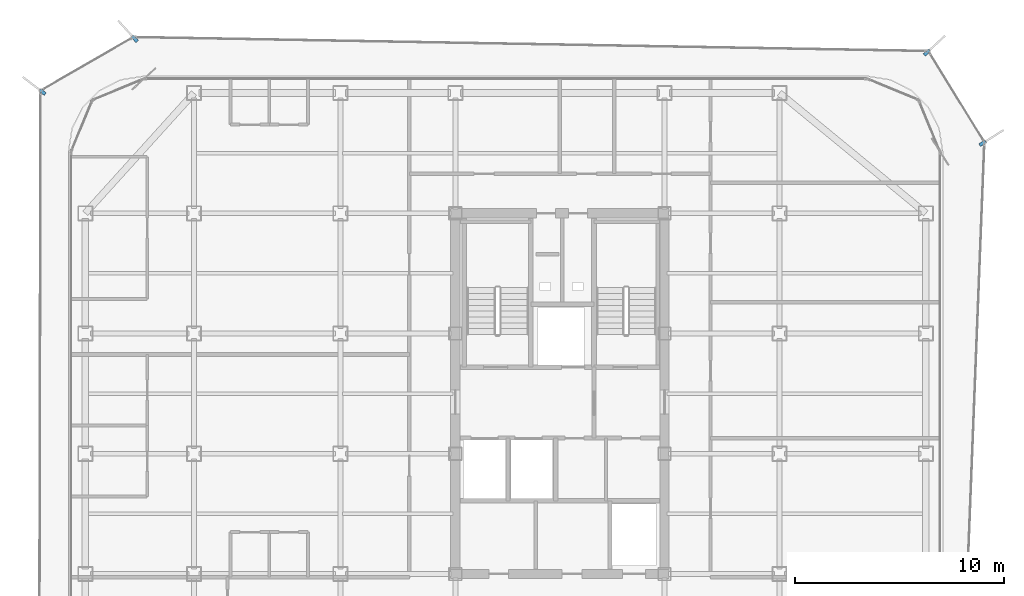
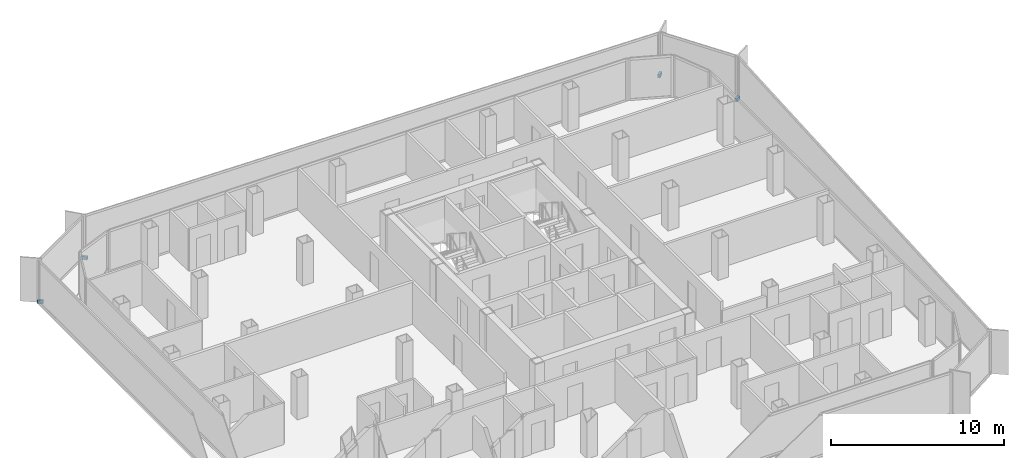
# One storey, part 13 of 16: 4 discrete accessories.
"""IFC4 building model written with IfcOpenShell, lengths in metres."""

from ifc_helpers import new_model, si_unit, direction, frame, origin, origin_2d, place, context, subcontext, project, spatial, rectangle, extrude, source, transform, mapped, material, type_object, element, save


model = new_model("IFC4")

# Units and contexts
model_context = context("Model", 3, precision=1e-05, world=origin(), true_north=direction((0.0, 1.0)))
body_context = subcontext(model_context, "Body", "Model", "MODEL_VIEW")
ifc_project = project(units=[si_unit("LENGTHUNIT", "METRE"), si_unit("AREAUNIT", "SQUARE_METRE"), si_unit("VOLUMEUNIT", "CUBIC_METRE"), si_unit("PLANEANGLEUNIT", "RADIAN"), si_unit("MASSUNIT", "GRAM", prefix="KILO")], contexts=[model_context])

# Site, building, storey
site_placement = place(None, origin())
site = spatial("IfcSite", under=ifc_project, at=site_placement, CompositionType="ELEMENT")
building_placement = place(site_placement, origin())
building = spatial("IfcBuilding", under=site, at=building_placement, Name="Kolveth Station Tower", CompositionType="ELEMENT")
storey_placement = place(building_placement, frame((0.0, 0.0, 206.0)))
storey = spatial("IfcBuildingStorey", under=building, at=storey_placement, Name="L58", CompositionType="ELEMENT", Elevation=206.0)

# Discrete accessories
ifc_material = material(Name="Steel S355", Category="steel")
discrete_accessory_type = type_object("IfcDiscreteAccessoryType", Name="Bracket_BK1", PredefinedType="BRACKET", material=ifc_material)
shared_shape = source(origin(), body_context, "Body", "SweptSolid", [
    extrude(rectangle(XDim=0.35009765625, YDim=0.159912109375, at=origin_2d()), origin(), (0.0, 0.0, 1.0), 0.219970703125),
])
for number, where, z_axis, x_axis, name in (
    (1, (43.720947265625, 32.10107421875, -0.06005859375), (0.0, 0.0, 1.0), (0.844888578952, 0.534942323205, 0.0), "L58 Double-Skin Radial Tie Bracket 3"),
    (2, (41.052001953125, 36.43505859375, -0.06005859375), (0.0, 0.0, 1.0), (0.731472721648, 0.681870704375, 0.0), "L58 Double-Skin Radial Tie Bracket 4"),
    (3, (3.162109375, 37.095947265625, -0.06005859375), (0.0, 0.0, 1.0), (-0.673915640857, 0.738808303288, 0.0), "L58 Double-Skin Radial Tie Bracket 5"),
    (4, (-1.2529296875, 34.553955078125, -0.06005859375), (0.0, 0.0, 1.0), (-0.794944353388, 0.606682351002, 0.0), "L58 Double-Skin Radial Tie Bracket 6"),
):
    element("IfcDiscreteAccessory", number, at=place(storey_placement, frame(where, z_axis=z_axis, x_axis=x_axis)), inside=storey, type_object=discrete_accessory_type, Name=name, PredefinedType="BRACKET", context=body_context, shape_type="MappedRepresentation", body=[
        mapped(shared_shape, transform((0.0, 0.0, 0.0), x_axis=(1.0, 0.0, 0.0), y_axis=(0.0, 1.0, 0.0), z_axis=(0.0, 0.0, 1.0), scale=1.0)),
    ])

save(model, "model.ifc")
